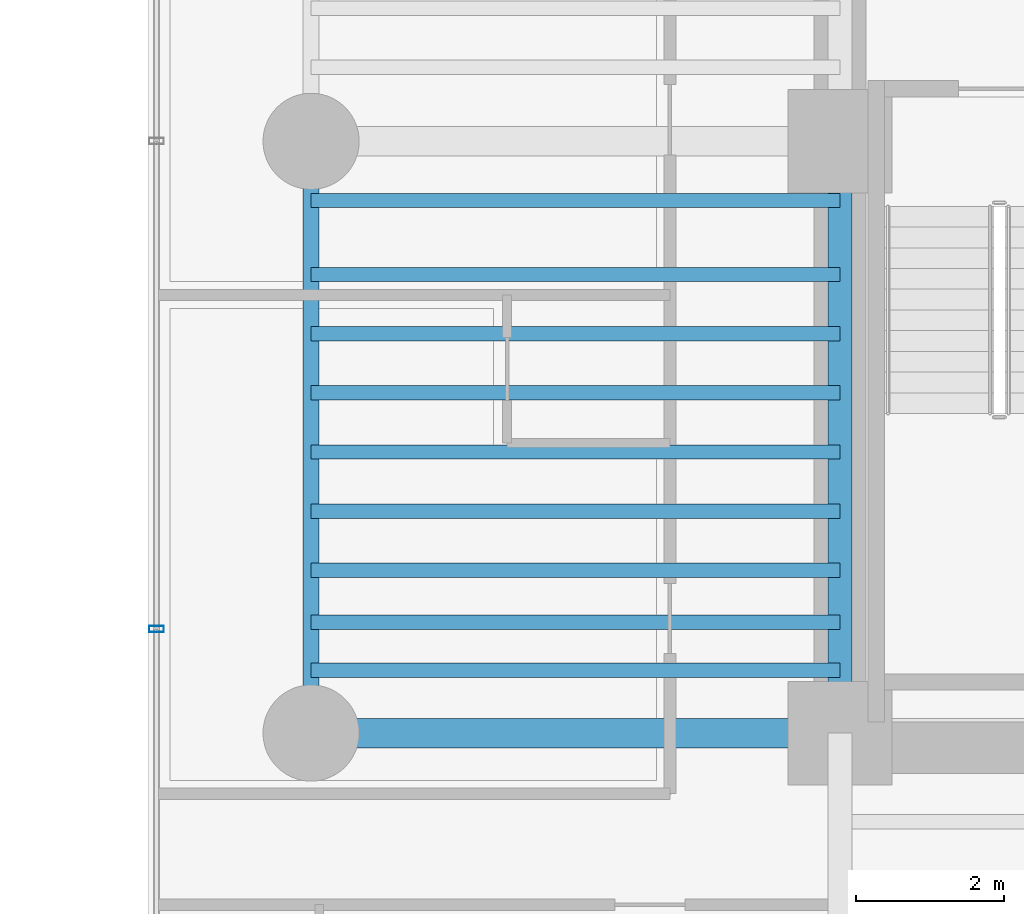
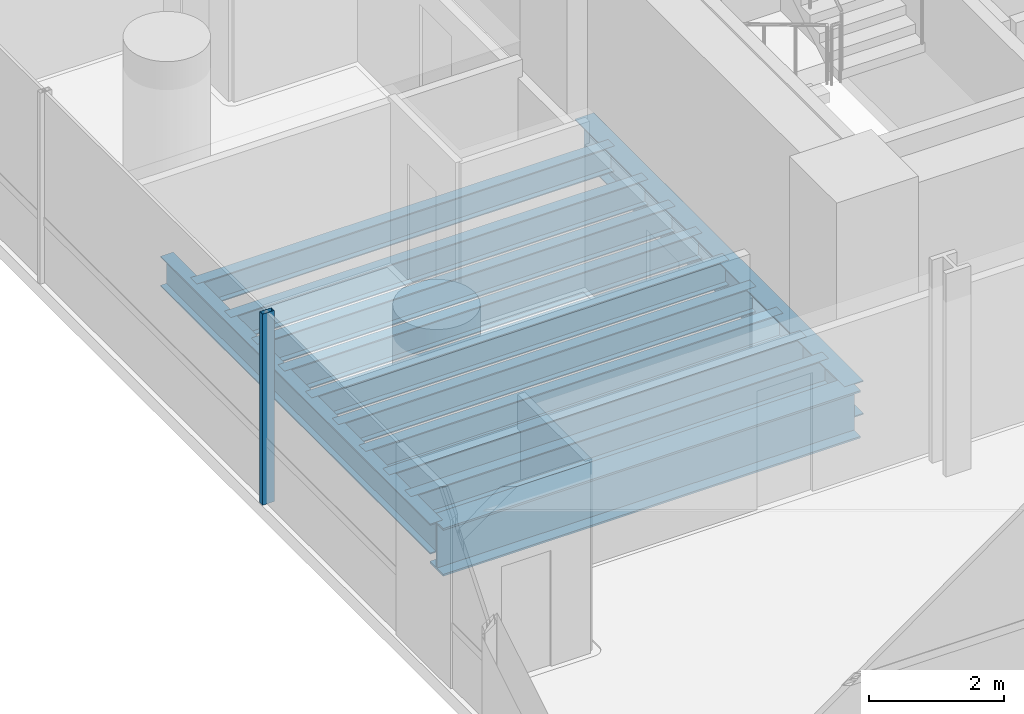
# One storey, part 4 of 42: 12 beams, 1 member, 1 element without a shape of its own.
"""IFC4 building model written with IfcOpenShell, lengths in metres."""

from ifc_helpers import new_model, si_unit, direction, frame, origin, origin_2d, place, context, subcontext, project, spatial, hollow_rectangle, i_section, extrude, source, transform, mapped, material, material_profile, profile_set, type_object, element, aggregate, save


model = new_model("IFC4")

# Units and contexts
model_context = context("Model", 3, precision=1e-05, world=origin(), true_north=direction((0.0, 1.0)))
body_context = subcontext(model_context, "Body", "Model", "MODEL_VIEW")
ifc_project = project(units=[si_unit("LENGTHUNIT", "METRE"), si_unit("AREAUNIT", "SQUARE_METRE"), si_unit("VOLUMEUNIT", "CUBIC_METRE"), si_unit("PLANEANGLEUNIT", "RADIAN"), si_unit("MASSUNIT", "GRAM", prefix="KILO")], contexts=[model_context])

# Site, building, storey
site_placement = place(None, origin())
site = spatial("IfcSite", under=ifc_project, at=site_placement, CompositionType="ELEMENT")
building_placement = place(site_placement, origin())
building = spatial("IfcBuilding", under=site, at=building_placement, Name="Valdorenza Pilgrim Sanctuary Tower", CompositionType="ELEMENT")
storey_placement = place(building_placement, frame((0.0, 0.0, 55.60009765625)))
storey = spatial("IfcBuildingStorey", under=building, at=storey_placement, Name="L13", CompositionType="ELEMENT", Elevation=55.60009765625)

# Beams
ifc_material_1 = material(Name="Steel ASTM A992 Grade 50", Category="steel")
ifc_material_profile_1 = material_profile(ifc_material_1, i_section(OverallWidth=0.214111328125, OverallDepth=0.549072265625, WebThickness=0.0146484375, FlangeThickness=0.023681640625, at=origin_2d()), Name="W21X93")
ifc_profile_set_1 = profile_set([ifc_material_profile_1], Name="Steel ASTM A992 Grade 50")
beam_type_1 = type_object("IfcBeamType", Name="STR-BM-SPN-W21A", PredefinedType="SPANDREL", material=ifc_profile_set_1)
shared_shape_1 = source(origin(), body_context, "Body", "SweptSolid", [
    extrude(i_section(OverallWidth=0.214111328125, OverallDepth=0.549072265625, WebThickness=0.0146484375, FlangeThickness=0.023681640625, at=origin_2d()), origin(), (0.0, 0.0, 1.0), 8.0),
])
beam_1_placement = place(storey_placement, frame((-29.800048828125, -10.60009765625, -0.5146484375), z_axis=(0.0, 1.0, 0.0), x_axis=(-1.0, 0.0, 0.0)))
element("IfcBeam", 1, at=beam_1_placement, inside=storey, type_object=beam_type_1, Name="L13 Spandrel Beam WA-W-S1M0", PredefinedType="SPANDREL", context=body_context, shape_type="MappedRepresentation", body=[
    mapped(shared_shape_1, transform((0.0, 0.0, 0.0), x_axis=(1.0, 0.0, 0.0), y_axis=(0.0, 1.0, 0.0), z_axis=(0.0, 0.0, 1.0), scale=1.0)),
])
ifc_material_profile_2 = material_profile(ifc_material_1, i_section(OverallWidth=0.323974609375, OverallDepth=0.611083984375, WebThickness=0.0126953125, FlangeThickness=0.01904296875, at=origin_2d()), Name="W24X104")
ifc_profile_set_2 = profile_set([ifc_material_profile_2], Name="Steel ASTM A992 Grade 50")
beam_type_2 = type_object("IfcBeamType", Name="STR-BM-GRD-W24B", PredefinedType="BEAM", material=ifc_profile_set_2)
shared_shape_2 = source(origin(), body_context, "Body", "SweptSolid", [
    extrude(i_section(OverallWidth=0.323974609375, OverallDepth=0.611083984375, WebThickness=0.0126953125, FlangeThickness=0.01904296875, at=origin_2d()), origin(), (0.0, 0.0, 1.0), 8.0),
])
beam_2_placement = place(storey_placement, frame((-22.64990234375, -10.60009765625, -0.545654296875), z_axis=(0.0, 1.0, 0.0), x_axis=(-1.0, 0.0, 0.0)))
element("IfcBeam", 2, at=beam_2_placement, inside=storey, type_object=beam_type_2, Name="L13 Core Tie Girder CA-W-S1M0", PredefinedType="BEAM", context=body_context, shape_type="MappedRepresentation", body=[
    mapped(shared_shape_2, transform((0.0, 0.0, 0.0), x_axis=(1.0, 0.0, 0.0), y_axis=(0.0, 1.0, 0.0), z_axis=(0.0, 0.0, 1.0), scale=1.0)),
])
ifc_material_profile_3 = material_profile(ifc_material_1, i_section(OverallWidth=0.193115234375, OverallDepth=0.466064453125, WebThickness=0.011474609375, FlangeThickness=0.01904296875, at=origin_2d()), Name="W18X65")
ifc_profile_set_3 = profile_set([ifc_material_profile_3], Name="Steel ASTM A992 Grade 50")
beam_type_3 = type_object("IfcBeamType", Name="STR-BM-JST-W18A", PredefinedType="JOIST", material=ifc_profile_set_3)
shared_shape_3 = source(origin(), body_context, "Body", "SweptSolid", [
    extrude(i_section(OverallWidth=0.193115234375, OverallDepth=0.466064453125, WebThickness=0.011474609375, FlangeThickness=0.01904296875, at=origin_2d()), origin(), (0.0, 0.0, 1.0), 7.150146484375),
])
for number, where, z_axis, x_axis, name in (
    (3, (-29.800048828125, -9.75, -0.47314453125), (1.0, 0.0, 0.0), (0.0, 1.0, 0.0), "L13 Composite Floor Joist JST-WA-1"),
    (4, (-29.800048828125, -9.10009765625, -0.47314453125), (1.0, 0.0, 0.0), (0.0, 1.0, 0.0), "L13 Composite Floor Joist JST-WA-2"),
    (5, (-29.800048828125, -8.39990234375, -0.47314453125), (1.0, 0.0, 0.0), (0.0, 1.0, 0.0), "L13 Composite Floor Joist JST-WA-3"),
    (6, (-29.800048828125, -7.60009765625, -0.47314453125), (1.0, 0.0, 0.0), (0.0, 1.0, 0.0), "L13 Composite Floor Joist JST-WA-4"),
    (7, (-29.800048828125, -6.800048828125, -0.47314453125), (1.0, 0.0, 0.0), (0.0, 1.0, 0.0), "L13 Composite Floor Joist JST-WA-5"),
    (8, (-29.800048828125, -6.0, -0.47314453125), (1.0, 0.0, 0.0), (0.0, 1.0, 0.0), "L13 Composite Floor Joist JST-WA-6"),
    (9, (-29.800048828125, -5.199951171875, -0.47314453125), (1.0, 0.0, 0.0), (0.0, 1.0, 0.0), "L13 Composite Floor Joist JST-WA-7"),
    (10, (-29.800048828125, -4.39990234375, -0.47314453125), (1.0, 0.0, 0.0), (0.0, 1.0, 0.0), "L13 Composite Floor Joist JST-WA-8"),
    (11, (-29.800048828125, -3.39990234375, -0.47314453125), (1.0, 0.0, 0.0), (0.0, 1.0, 0.0), "L13 Composite Floor Joist JST-WA-9"),
):
    element("IfcBeam", number, at=place(storey_placement, frame(where, z_axis=z_axis, x_axis=x_axis)), inside=storey, type_object=beam_type_3, Name=name, PredefinedType="JOIST", context=body_context, shape_type="MappedRepresentation", body=[
        mapped(shared_shape_3, transform((0.0, 0.0, 0.0), x_axis=(1.0, 0.0, 0.0), y_axis=(0.0, 1.0, 0.0), z_axis=(0.0, 0.0, 1.0), scale=1.0)),
    ])
ifc_material_profile_4 = material_profile(ifc_material_1, i_section(OverallWidth=0.39990234375, OverallDepth=0.862060546875, WebThickness=0.019775390625, FlangeThickness=0.032470703125, at=origin_2d()), Name="W33X221")
ifc_profile_set_4 = profile_set([ifc_material_profile_4], Name="Steel ASTM A992 Grade 50")
beam_type_4 = type_object("IfcBeamType", Name="STR-BM-GRD-W33", PredefinedType="BEAM", material=ifc_profile_set_4)
shared_shape_4 = source(origin(), body_context, "Body", "SweptSolid", [
    extrude(i_section(OverallWidth=0.39990234375, OverallDepth=0.862060546875, WebThickness=0.019775390625, FlangeThickness=0.032470703125, at=origin_2d()), origin(), (0.0, 0.0, 1.0), 7.150146484375),
])
beam_3_placement = place(storey_placement, frame((-29.800048828125, -10.60009765625, -0.671142578125), z_axis=(1.0, 0.0, 0.0), x_axis=(0.0, 1.0, 0.0)))
element("IfcBeam", 12, at=beam_3_placement, inside=storey, type_object=beam_type_4, Name="L13 Floor Girder WA-XW-S1", PredefinedType="BEAM", context=body_context, shape_type="MappedRepresentation", body=[
    mapped(shared_shape_4, transform((0.0, 0.0, 0.0), x_axis=(1.0, 0.0, 0.0), y_axis=(0.0, 1.0, 0.0), z_axis=(0.0, 0.0, 1.0), scale=1.0)),
])

# Curtain wall, member
ifc_material_2 = material(Name="Curtain-wall IGU glazing", Category="glass")
curtain_wall_type = type_object("IfcCurtainWallType", Name="CW-SYS-02", PredefinedType="NOTDEFINED", material=ifc_material_2)
curtain_wall_placement = place(storey_placement, origin())
curtain_wall = element("IfcCurtainWall", 13, at=curtain_wall_placement, inside=storey, type_object=curtain_wall_type, Name="L13 Curtain Wall CW-L13-1-1S1", PredefinedType="NOTDEFINED")
ifc_material_3 = material(Name="Anodised aluminium AW-6060", Category="aluminium")
ifc_material_profile_5 = material_profile(ifc_material_3, hollow_rectangle(XDim=0.0849609375, YDim=0.199951171875, WallThickness=0.0048828125, at=origin_2d()), Name="ALU-M 200x85x5")
ifc_profile_set_5 = profile_set([ifc_material_profile_5], Name="Anodised aluminium AW-6060")
member_type = type_object("IfcMemberType", Name="CW-MUL-02", PredefinedType="MULLION", material=ifc_profile_set_5)
shared_shape_5 = source(origin(), body_context, "Body", "SweptSolid", [
    extrude(hollow_rectangle(XDim=0.0849609375, YDim=0.199951171875, WallThickness=0.0048828125, at=origin_2d()), origin(), (0.0, 0.0, 1.0), 3.4599609375),
])
member_placement = place(storey_placement, frame((-31.889892578125, -9.19189453125, 0.0), z_axis=(0.0, 0.0, 1.0), x_axis=(0.0, 1.0, 0.0)))
member = element("IfcMember", 14, at=member_placement, type_object=member_type, Name="CW-L13-1-1S1 Mullion 2", PredefinedType="MULLION", context=body_context, shape_type="MappedRepresentation", body=[
    mapped(shared_shape_5, transform((0.0, 0.0, 0.0), x_axis=(1.0, 0.0, 0.0), y_axis=(0.0, 1.0, 0.0), z_axis=(0.0, 0.0, 1.0), scale=1.0)),
])
aggregate(curtain_wall, [member])

save(model, "model.ifc")
